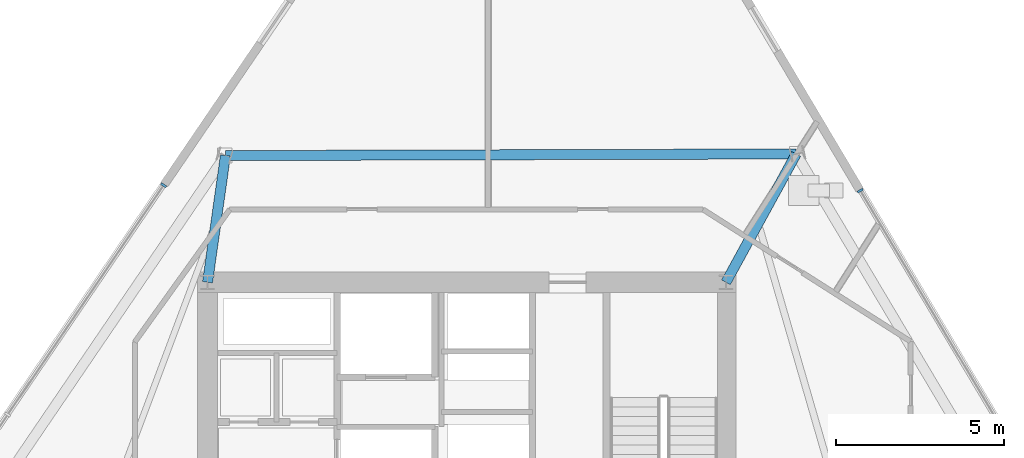
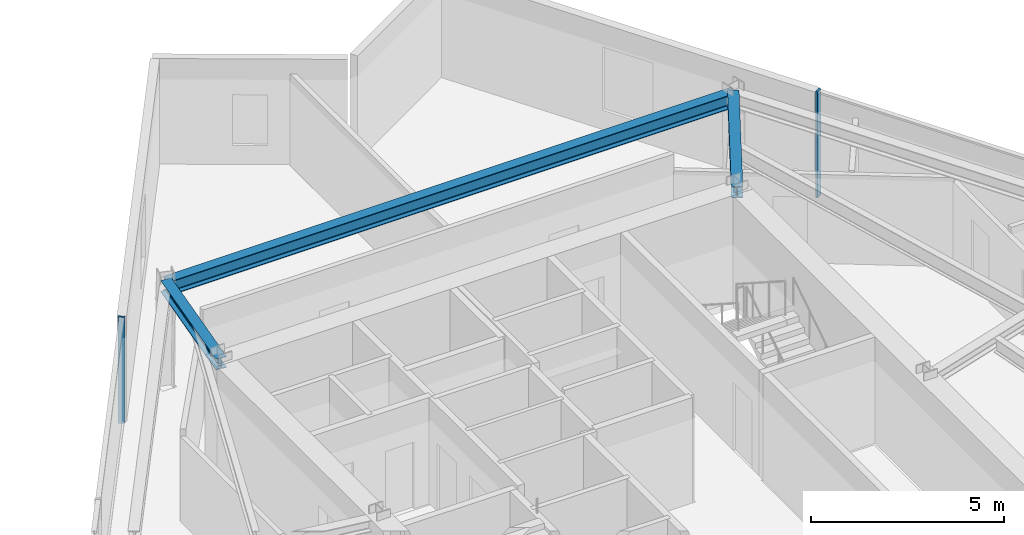
# One storey, part 6 of 15: 3 beams, 2 members, 2 elements without a shape of their own.
"""IFC4 building model written with IfcOpenShell, lengths in metres."""

import ifcopenshell
import ifcopenshell.guid

model = None  # the IFC model being written
_history = None  # IfcOwnerHistory: only IFC2X3 demands one
_inside = {}  # id of a spatial element -> (the spatial element, [elements in it])
_under = {}  # id of a project, library or spatial element -> (it, [spatial elements below it])
_declared = {}  # id of a project -> (the project, [libraries it declares])
_typed = {}  # id of a type object -> (the type object, [elements of that type])
_made_of = {}  # id of a material, layer set ... -> (it, [elements and type objects made of it])


def new_model(schema):
    """Start an empty IFC model of exactly this schema.

    Asked for "IFC4X3", IfcOpenShell would pick the latest addendum, in which some entities
    have other attributes; the version numbers below select the first issue.
    IFC2X3 requires an IfcOwnerHistory on every rooted entity: one is made here for all.
    """
    global model, _history
    if schema == "IFC4X3":
        model = ifcopenshell.file(schema_version=(4, 3, 0, 0))
    else:
        model = ifcopenshell.file(schema=schema)
    _inside.clear()
    _under.clear()
    _declared.clear()
    _typed.clear()
    _made_of.clear()
    _history = None
    if model.schema == "IFC2X3":
        org = make("IfcOrganization", Name="unknown")
        user = make(
            "IfcPersonAndOrganization",
            ThePerson=make("IfcPerson", FamilyName="unknown"),
            TheOrganization=org,
        )
        app = make(
            "IfcApplication",
            ApplicationDeveloper=org,
            Version="unknown",
            ApplicationFullName="unknown",
            ApplicationIdentifier="unknown",
        )
        _history = make(
            "IfcOwnerHistory",
            OwningUser=user,
            OwningApplication=app,
            ChangeAction="ADDED",
            CreationDate=0,
        )
    return model


def make(cls, **values):
    """One entity of the class cls with the attributes given. An attribute that is None is left unset."""
    return model.create_entity(
        cls, **{name: value for name, value in values.items() if value is not None}
    )


def rooted(cls, **values):
    """An entity with a GlobalId (a new one), such as an element, a storey or a relation."""
    return make(cls, GlobalId=ifcopenshell.guid.new(), OwnerHistory=_history, **values)


def si_unit(unit_type, name, prefix=None):
    """IfcSIUnit, for example si_unit("LENGTHUNIT", "METRE", prefix="MILLI")."""
    return make("IfcSIUnit", UnitType=unit_type, Prefix=prefix, Name=name)


def assignment(units):
    """IfcUnitAssignment: the units of a project."""
    return None if units is None else make("IfcUnitAssignment", Units=units)


def point(xyz):
    """IfcCartesianPoint."""
    return None if xyz is None else make("IfcCartesianPoint", Coordinates=xyz)


def direction(xyz):
    """IfcDirection."""
    return None if xyz is None else make("IfcDirection", DirectionRatios=xyz)


def frame(location, z_axis=None, x_axis=None):
    """IfcAxis2Placement3D, a coordinate frame: its origin and axes. An axis left out is left unset."""
    return make(
        "IfcAxis2Placement3D",
        Location=point(location),
        Axis=direction(z_axis),
        RefDirection=direction(x_axis),
    )


def frame_2d(location, x_axis=None):
    """IfcAxis2Placement2D, a coordinate frame in the plane: its origin and x axis."""
    return make(
        "IfcAxis2Placement2D", Location=point(location), RefDirection=direction(x_axis)
    )


def origin():
    """The frame at (0, 0, 0) with its axes left unset."""
    return frame((0.0, 0.0, 0.0))


def origin_2d():
    """The frame at (0, 0) in the plane with its x axis left unset."""
    return frame_2d((0.0, 0.0))


def place(relative_to, where):
    """IfcLocalPlacement: puts the frame where relative to a parent placement (None: the world)."""
    return make(
        "IfcLocalPlacement", PlacementRelTo=relative_to, RelativePlacement=where
    )


def context(
    kind, dimensions, precision=None, world=None, true_north=None, identifier=None
):
    """IfcGeometricRepresentationContext, for example the 3D "Model" context."""
    return make(
        "IfcGeometricRepresentationContext",
        ContextIdentifier=identifier,
        ContextType=kind,
        CoordinateSpaceDimension=dimensions,
        Precision=precision,
        WorldCoordinateSystem=world,
        TrueNorth=true_north,
    )


def subcontext(parent, identifier, kind, view, scale=None):
    """IfcGeometricRepresentationSubContext, for example "Body" below "Model"."""
    return make(
        "IfcGeometricRepresentationSubContext",
        ContextIdentifier=identifier,
        ContextType=kind,
        ParentContext=parent,
        TargetScale=scale,
        TargetView=view,
    )


def project(units=None, contexts=None):
    """IfcProject with its units and contexts."""
    return rooted(
        "IfcProject",
        Name="project",
        RepresentationContexts=contexts,
        UnitsInContext=assignment(units),
    )


def spatial(cls, under=None, at=None, **own):
    """A site, building, storey or space (cls), placed at a placement, below another one or the project."""
    s = rooted(cls, ObjectPlacement=at, **own)
    if under is not None:
        _under.setdefault(under.id(), (under, []))[1].append(s)
    return s


def profile(cls, at=None, kind="AREA", **sizes):
    """A parametric profile (cls). Its sizes go by their IFC names, for example OverallWidth=200.0."""
    return make(cls, ProfileType=kind, Position=at, **sizes)


def rectangle(**sizes):
    """IfcRectangleProfileDef."""
    return profile("IfcRectangleProfileDef", **sizes)


def i_section(**sizes):
    """IfcIShapeProfileDef."""
    return profile("IfcIShapeProfileDef", **sizes)


def extrude(swept, where, along, depth):
    """IfcExtrudedAreaSolid: the profile swept, set in the frame where, extruded along a direction by depth."""
    return make(
        "IfcExtrudedAreaSolid",
        SweptArea=swept,
        Position=where,
        ExtrudedDirection=direction(along),
        Depth=depth,
    )


def shape(context_of_items, identifier, shape_type, items):
    """IfcShapeRepresentation: the items that make up one representation, for example the "Body"."""
    return make(
        "IfcShapeRepresentation",
        ContextOfItems=context_of_items,
        RepresentationIdentifier=identifier,
        RepresentationType=shape_type,
        Items=items,
    )


def material(Name=None, Category=None):
    """IfcMaterial."""
    return make("IfcMaterial", Name=Name, Category=Category)


def material_profile(
    of_material, cross_section, Name=None, Category=None, Priority=None
):
    """IfcMaterialProfile: a cross section and its material."""
    return make(
        "IfcMaterialProfile",
        Name=Name,
        Material=of_material,
        Profile=cross_section,
        Priority=Priority,
        Category=Category,
    )


def profile_set(profiles, Name=None, composite=None):
    """IfcMaterialProfileSet."""
    return make(
        "IfcMaterialProfileSet",
        Name=Name,
        MaterialProfiles=profiles,
        CompositeProfile=composite,
    )


def made_of(thing, what):
    """Note that an element or type object is made of a material, layer set ...; save() writes the relation."""
    if what is not None:
        _made_of.setdefault(what.id(), (what, []))[1].append(thing)
    return thing


def type_object(cls, material=None, **own):
    """A type object (cls), such as IfcWallType, which elements share."""
    return made_of(rooted(cls, **own), material)


def element(
    cls,
    number,
    at=None,
    inside=None,
    cuts=None,
    type_object=None,
    material=None,
    context=None,
    identifier="Body",
    shape_type=None,
    held_by="IfcProductDefinitionShape",
    body=None,
    shapes=None,
    **own,
):
    """One element of the class cls, such as IfcWall. Its Tag is "e" and its number.

    at: its placement. inside: the storey or other place that contains it. cuts: it is an
    opening in that element (IfcRelVoidsElement). A single representation is given by context,
    identifier, shape_type and body (its items); several are given by shapes. held_by: the class
    of the entity that holds the representations. save() writes the other relations.
    """
    e = rooted(cls, Tag="e%d" % number, ObjectPlacement=at, **own)
    if body is not None:
        shapes = [shape(context, identifier, shape_type, body)]
    if shapes is not None:
        e.Representation = make(held_by, Representations=shapes)
    if inside is not None:
        _inside.setdefault(inside.id(), (inside, []))[1].append(e)
    if cuts is not None:
        rooted(
            "IfcRelVoidsElement", RelatingBuildingElement=cuts, RelatedOpeningElement=e
        )
    if type_object is not None:
        _typed.setdefault(type_object.id(), (type_object, []))[1].append(e)
    return made_of(e, material)


def aggregate(whole, parts):
    """IfcRelAggregates: a whole, such as a stair, and the parts it consists of."""
    return rooted("IfcRelAggregates", RelatingObject=whole, RelatedObjects=parts)


def save(model, path):
    """Write the relations noted so far, then the file.

    IfcRelAggregates (storeys below a building ...), IfcRelContainedInSpatialStructure (elements
    in a storey), IfcRelDefinesByType, IfcRelAssociatesMaterial and IfcRelDeclares: one each for
    every whole, place, type object, material and project.
    """
    for whole, parts in _under.values():
        aggregate(whole, parts)
    for where, things in _inside.values():
        rooted(
            "IfcRelContainedInSpatialStructure",
            RelatedElements=things,
            RelatingStructure=where,
        )
    for kind, things in _typed.values():
        rooted("IfcRelDefinesByType", RelatedObjects=things, RelatingType=kind)
    for what, things in _made_of.values():
        rooted("IfcRelAssociatesMaterial", RelatedObjects=things, RelatingMaterial=what)
    for by, libraries in _declared.values():
        rooted("IfcRelDeclares", RelatingContext=by, RelatedDefinitions=libraries)
    model.write(path)


model = new_model("IFC4")

# Units and contexts
model_context = context("Model", 3, precision=1e-05, world=origin(), true_north=direction((0.0, 1.0)))
body_context = subcontext(model_context, "Body", "Model", "MODEL_VIEW")
ifc_project = project(units=[si_unit("LENGTHUNIT", "METRE"), si_unit("AREAUNIT", "SQUARE_METRE"), si_unit("VOLUMEUNIT", "CUBIC_METRE"), si_unit("PLANEANGLEUNIT", "RADIAN"), si_unit("MASSUNIT", "GRAM", prefix="KILO")], contexts=[model_context])

# Site, building, storey
site_placement = place(None, origin())
site = spatial("IfcSite", under=ifc_project, at=site_placement, CompositionType="ELEMENT")
building_placement = place(site_placement, origin())
building = spatial("IfcBuilding", under=site, at=building_placement, Name="Savorim Split Tower", CompositionType="ELEMENT")
storey_placement = place(building_placement, frame((0.0, 0.0, 118.5)))
storey = spatial("IfcBuildingStorey", under=building, at=storey_placement, Name="L31", CompositionType="ELEMENT", Elevation=118.5)

# Beams
ifc_material_1 = material(Name="Steel S355", Category="steel")
ifc_material_profile_1 = material_profile(ifc_material_1, i_section(OverallWidth=0.300048828125, OverallDepth=0.360107421875, WebThickness=0.012451171875, FlangeThickness=0.0224609375, FilletRadius=0.027099609375, at=origin_2d()), Name="HEB 360")
ifc_profile_set_1 = profile_set([ifc_material_profile_1], Name="Steel S355")
beam_type_1 = type_object("IfcBeamType", Name="BM-PRI-HEB360", PredefinedType="BEAM", material=ifc_profile_set_1)
beam_1_placement = place(storey_placement, frame((9.78662109375, 14.01220703125, 3.169921875), z_axis=(-0.480138661156, -0.877192604884, 0.0), x_axis=(0.877192604884, -0.480138661156, 0.0)))
element("IfcBeam", 1, at=beam_1_placement, inside=storey, type_object=beam_type_1, Name="L31 Primary Floor Girder RG-07", PredefinedType="BEAM", context=body_context, shape_type="SweptSolid", body=[
    extrude(i_section(OverallWidth=0.300048828125, OverallDepth=0.360107421875, WebThickness=0.012451171875, FlangeThickness=0.0224609375, FilletRadius=0.027099609375, at=origin_2d()), origin(), (0.0, 0.0, 1.0), 4.345947265625),
])
beam_2_placement = place(storey_placement, frame((-7.168212890625, 13.96337890625, 3.169921875), z_axis=(-0.13990141571, -0.990165437633, 0.0), x_axis=(0.990165437633, -0.13990141571, 0.0)))
element("IfcBeam", 2, at=beam_2_placement, inside=storey, type_object=beam_type_1, Name="L31 Primary Floor Girder RG-08", PredefinedType="BEAM", context=body_context, shape_type="SweptSolid", body=[
    extrude(i_section(OverallWidth=0.300048828125, OverallDepth=0.360107421875, WebThickness=0.012451171875, FlangeThickness=0.0224609375, FilletRadius=0.027099609375, at=origin_2d()), origin(), (0.0, 0.0, 1.0), 3.80078125),
])
ifc_material_profile_2 = material_profile(ifc_material_1, i_section(OverallWidth=0.300048828125, OverallDepth=0.43994140625, WebThickness=0.011474609375, FlangeThickness=0.02099609375, FilletRadius=0.027099609375, at=origin_2d()), Name="HEA 450")
ifc_profile_set_2 = profile_set([ifc_material_profile_2], Name="Steel S355")
beam_type_2 = type_object("IfcBeamType", Name="BM-SPN-HEA450", PredefinedType="SPANDREL", material=ifc_profile_set_2)
beam_3_placement = place(storey_placement, frame((9.78662109375, 14.01220703125, 3.1298828125), z_axis=(-0.999995853131, -0.002879882077, 0.0), x_axis=(0.002879882077, -0.999995853131, 0.0)))
element("IfcBeam", 3, at=beam_3_placement, inside=storey, type_object=beam_type_2, Name="L31 Perimeter Spandrel Beam 7", PredefinedType="SPANDREL", context=body_context, shape_type="SweptSolid", body=[
    extrude(i_section(OverallWidth=0.300048828125, OverallDepth=0.43994140625, WebThickness=0.011474609375, FlangeThickness=0.02099609375, FilletRadius=0.027099609375, at=origin_2d()), origin(), (0.0, 0.0, 1.0), 16.954833984375),
])

# Curtain wall, member
ifc_material_2 = material(Name="Dark Ceramic-Fritted Insulated Glass", Category="glass")
curtain_wall_type = type_object("IfcCurtainWallType", Name="CW-TWR-FRIT-A", PredefinedType="NOTDEFINED", material=ifc_material_2)
curtain_wall_1_placement = place(storey_placement, origin())
curtain_wall_1 = element("IfcCurtainWall", 4, at=curtain_wall_1_placement, inside=storey, type_object=curtain_wall_type, Name="L31 Curtain Wall CW-L31-EAST", PredefinedType="NOTDEFINED")
ifc_material_3 = material(Name="Charcoal Anodised Aluminium", Category="aluminium")
ifc_material_profile_3 = material_profile(ifc_material_3, rectangle(XDim=0.179931640625, YDim=0.06494140625, at=origin_2d()), Name="ALU-M 180x65")
ifc_profile_set_3 = profile_set([ifc_material_profile_3], Name="Charcoal Anodised Aluminium")
member_type = type_object("IfcMemberType", Name="CWM-180x65", PredefinedType="MULLION", material=ifc_profile_set_3)
member_1_placement = place(storey_placement, frame((11.690185546875, 12.921630859375, 0.0), z_axis=(0.0, 0.0, 1.0), x_axis=(-0.859525409745, -0.51109301502, 0.0)))
member_1 = element("IfcMember", 5, at=member_1_placement, type_object=member_type, Name="CW-02 mullion 5", PredefinedType="MULLION", context=body_context, shape_type="SweptSolid", body=[
    extrude(rectangle(XDim=0.179931640625, YDim=0.06494140625, at=origin_2d()), origin(), (0.0, 0.0, 1.0), 3.35009765625),
])
aggregate(curtain_wall_1, [member_1])

curtain_wall_2_placement = place(storey_placement, origin())
curtain_wall_2 = element("IfcCurtainWall", 6, at=curtain_wall_2_placement, inside=storey, type_object=curtain_wall_type, Name="L31 Curtain Wall CW-L31-WEST", PredefinedType="NOTDEFINED")
member_2_placement = place(storey_placement, frame((-9.002197265625, 13.08154296875, 0.0), z_axis=(0.0, 0.0, 1.0), x_axis=(0.826819959579, -0.562466669628, 0.0)))
member_2 = element("IfcMember", 7, at=member_2_placement, type_object=member_type, Name="CW-02 mullion 1", PredefinedType="MULLION", context=body_context, shape_type="SweptSolid", body=[
    extrude(rectangle(XDim=0.179931640625, YDim=0.06494140625, at=origin_2d()), origin(), (0.0, 0.0, 1.0), 3.35009765625),
])
aggregate(curtain_wall_2, [member_2])

save(model, "model.ifc")
